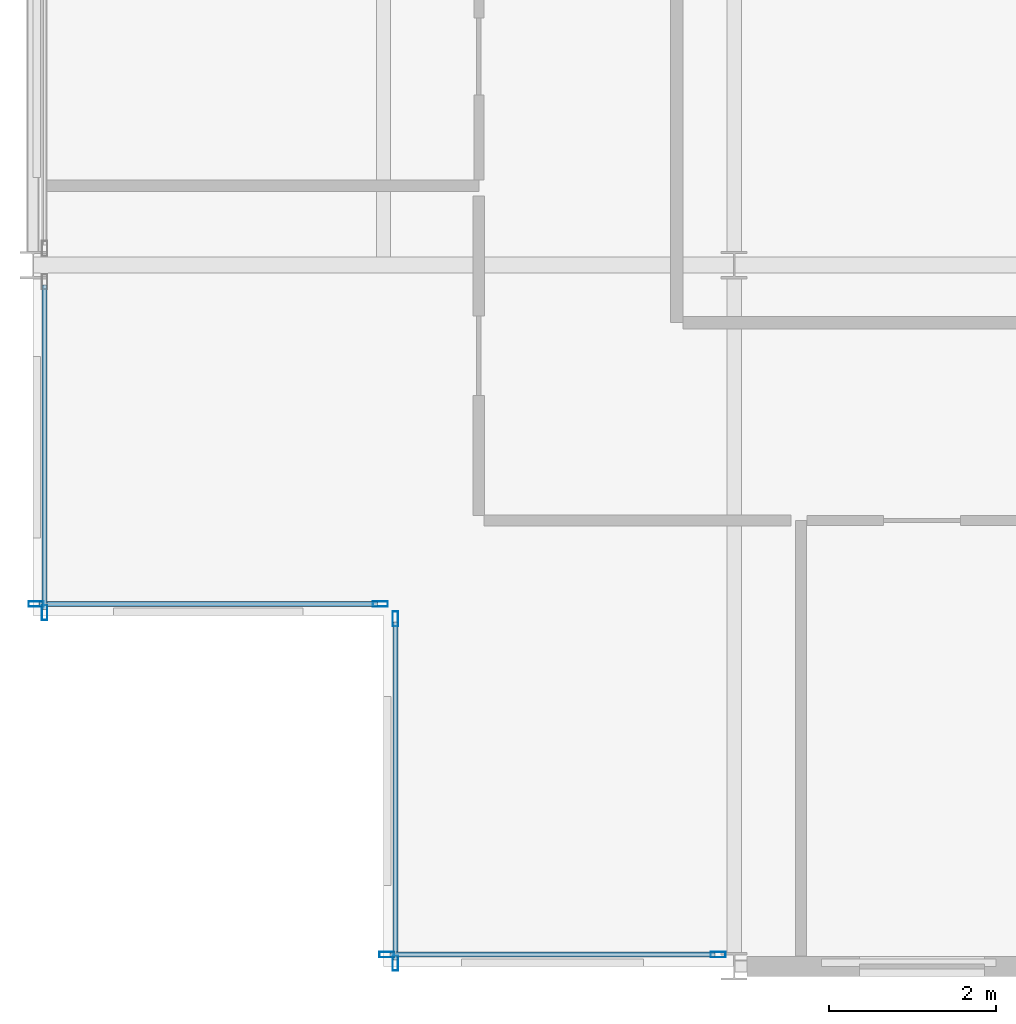
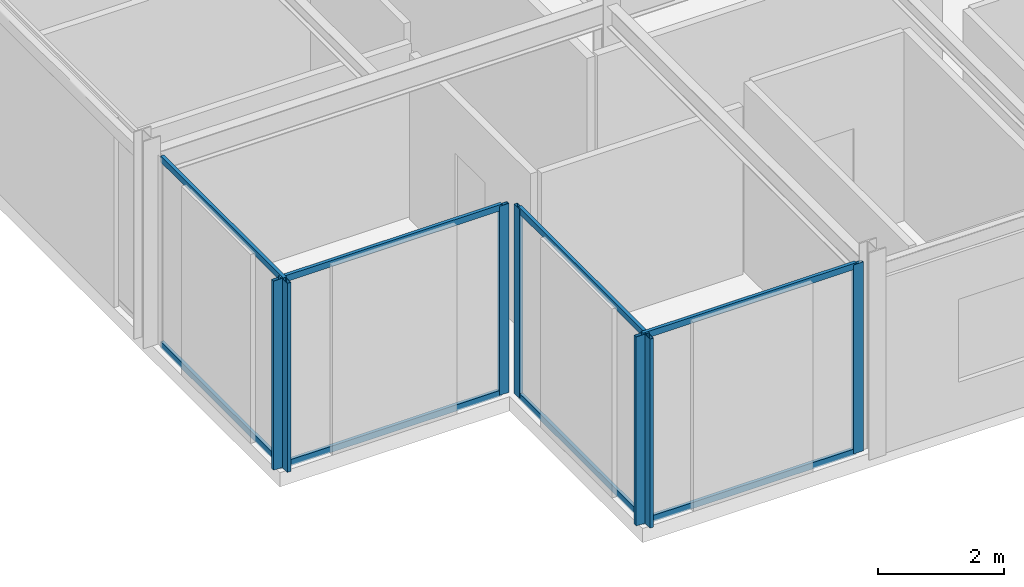
# One storey, part 3 of 26: 15 members, 4 elements without a shape of their own.
"""IFC4 building model written with IfcOpenShell, lengths in metres."""

import ifcopenshell
import ifcopenshell.guid

model = None  # the IFC model being written
_history = None  # IfcOwnerHistory: only IFC2X3 demands one
_inside = {}  # id of a spatial element -> (the spatial element, [elements in it])
_under = {}  # id of a project, library or spatial element -> (it, [spatial elements below it])
_declared = {}  # id of a project -> (the project, [libraries it declares])
_typed = {}  # id of a type object -> (the type object, [elements of that type])
_made_of = {}  # id of a material, layer set ... -> (it, [elements and type objects made of it])


def new_model(schema):
    """Start an empty IFC model of exactly this schema.

    Asked for "IFC4X3", IfcOpenShell would pick the latest addendum, in which some entities
    have other attributes; the version numbers below select the first issue.
    IFC2X3 requires an IfcOwnerHistory on every rooted entity: one is made here for all.
    """
    global model, _history
    if schema == "IFC4X3":
        model = ifcopenshell.file(schema_version=(4, 3, 0, 0))
    else:
        model = ifcopenshell.file(schema=schema)
    _inside.clear()
    _under.clear()
    _declared.clear()
    _typed.clear()
    _made_of.clear()
    _history = None
    if model.schema == "IFC2X3":
        org = make("IfcOrganization", Name="unknown")
        user = make(
            "IfcPersonAndOrganization",
            ThePerson=make("IfcPerson", FamilyName="unknown"),
            TheOrganization=org,
        )
        app = make(
            "IfcApplication",
            ApplicationDeveloper=org,
            Version="unknown",
            ApplicationFullName="unknown",
            ApplicationIdentifier="unknown",
        )
        _history = make(
            "IfcOwnerHistory",
            OwningUser=user,
            OwningApplication=app,
            ChangeAction="ADDED",
            CreationDate=0,
        )
    return model


def make(cls, **values):
    """One entity of the class cls with the attributes given. An attribute that is None is left unset."""
    return model.create_entity(
        cls, **{name: value for name, value in values.items() if value is not None}
    )


def rooted(cls, **values):
    """An entity with a GlobalId (a new one), such as an element, a storey or a relation."""
    return make(cls, GlobalId=ifcopenshell.guid.new(), OwnerHistory=_history, **values)


def si_unit(unit_type, name, prefix=None):
    """IfcSIUnit, for example si_unit("LENGTHUNIT", "METRE", prefix="MILLI")."""
    return make("IfcSIUnit", UnitType=unit_type, Prefix=prefix, Name=name)


def assignment(units):
    """IfcUnitAssignment: the units of a project."""
    return None if units is None else make("IfcUnitAssignment", Units=units)


def point(xyz):
    """IfcCartesianPoint."""
    return None if xyz is None else make("IfcCartesianPoint", Coordinates=xyz)


def direction(xyz):
    """IfcDirection."""
    return None if xyz is None else make("IfcDirection", DirectionRatios=xyz)


def frame(location, z_axis=None, x_axis=None):
    """IfcAxis2Placement3D, a coordinate frame: its origin and axes. An axis left out is left unset."""
    return make(
        "IfcAxis2Placement3D",
        Location=point(location),
        Axis=direction(z_axis),
        RefDirection=direction(x_axis),
    )


def frame_2d(location, x_axis=None):
    """IfcAxis2Placement2D, a coordinate frame in the plane: its origin and x axis."""
    return make(
        "IfcAxis2Placement2D", Location=point(location), RefDirection=direction(x_axis)
    )


def origin():
    """The frame at (0, 0, 0) with its axes left unset."""
    return frame((0.0, 0.0, 0.0))


def origin_2d():
    """The frame at (0, 0) in the plane with its x axis left unset."""
    return frame_2d((0.0, 0.0))


def place(relative_to, where):
    """IfcLocalPlacement: puts the frame where relative to a parent placement (None: the world)."""
    return make(
        "IfcLocalPlacement", PlacementRelTo=relative_to, RelativePlacement=where
    )


def context(
    kind, dimensions, precision=None, world=None, true_north=None, identifier=None
):
    """IfcGeometricRepresentationContext, for example the 3D "Model" context."""
    return make(
        "IfcGeometricRepresentationContext",
        ContextIdentifier=identifier,
        ContextType=kind,
        CoordinateSpaceDimension=dimensions,
        Precision=precision,
        WorldCoordinateSystem=world,
        TrueNorth=true_north,
    )


def subcontext(parent, identifier, kind, view, scale=None):
    """IfcGeometricRepresentationSubContext, for example "Body" below "Model"."""
    return make(
        "IfcGeometricRepresentationSubContext",
        ContextIdentifier=identifier,
        ContextType=kind,
        ParentContext=parent,
        TargetScale=scale,
        TargetView=view,
    )


def project(units=None, contexts=None):
    """IfcProject with its units and contexts."""
    return rooted(
        "IfcProject",
        Name="project",
        RepresentationContexts=contexts,
        UnitsInContext=assignment(units),
    )


def spatial(cls, under=None, at=None, **own):
    """A site, building, storey or space (cls), placed at a placement, below another one or the project."""
    s = rooted(cls, ObjectPlacement=at, **own)
    if under is not None:
        _under.setdefault(under.id(), (under, []))[1].append(s)
    return s


def profile(cls, at=None, kind="AREA", **sizes):
    """A parametric profile (cls). Its sizes go by their IFC names, for example OverallWidth=200.0."""
    return make(cls, ProfileType=kind, Position=at, **sizes)


def hollow_rectangle(**sizes):
    """IfcRectangleHollowProfileDef."""
    return profile("IfcRectangleHollowProfileDef", **sizes)


def extrude(swept, where, along, depth):
    """IfcExtrudedAreaSolid: the profile swept, set in the frame where, extruded along a direction by depth."""
    return make(
        "IfcExtrudedAreaSolid",
        SweptArea=swept,
        Position=where,
        ExtrudedDirection=direction(along),
        Depth=depth,
    )


def shape(context_of_items, identifier, shape_type, items):
    """IfcShapeRepresentation: the items that make up one representation, for example the "Body"."""
    return make(
        "IfcShapeRepresentation",
        ContextOfItems=context_of_items,
        RepresentationIdentifier=identifier,
        RepresentationType=shape_type,
        Items=items,
    )


def material(Name=None, Category=None):
    """IfcMaterial."""
    return make("IfcMaterial", Name=Name, Category=Category)


def layer(
    of_material, thickness, ventilated=None, Name=None, Category=None, Priority=None
):
    """IfcMaterialLayer: one layer of a wall or slab, of a material (None: an air gap)."""
    return make(
        "IfcMaterialLayer",
        Material=of_material,
        LayerThickness=thickness,
        IsVentilated=ventilated,
        Name=Name,
        Category=Category,
        Priority=Priority,
    )


def layer_set(layers, Name=None):
    """IfcMaterialLayerSet."""
    return make("IfcMaterialLayerSet", MaterialLayers=layers, LayerSetName=Name)


def material_profile(
    of_material, cross_section, Name=None, Category=None, Priority=None
):
    """IfcMaterialProfile: a cross section and its material."""
    return make(
        "IfcMaterialProfile",
        Name=Name,
        Material=of_material,
        Profile=cross_section,
        Priority=Priority,
        Category=Category,
    )


def profile_set(profiles, Name=None, composite=None):
    """IfcMaterialProfileSet."""
    return make(
        "IfcMaterialProfileSet",
        Name=Name,
        MaterialProfiles=profiles,
        CompositeProfile=composite,
    )


def made_of(thing, what):
    """Note that an element or type object is made of a material, layer set ...; save() writes the relation."""
    if what is not None:
        _made_of.setdefault(what.id(), (what, []))[1].append(thing)
    return thing


def type_object(cls, material=None, **own):
    """A type object (cls), such as IfcWallType, which elements share."""
    return made_of(rooted(cls, **own), material)


def element(
    cls,
    number,
    at=None,
    inside=None,
    cuts=None,
    type_object=None,
    material=None,
    context=None,
    identifier="Body",
    shape_type=None,
    held_by="IfcProductDefinitionShape",
    body=None,
    shapes=None,
    **own,
):
    """One element of the class cls, such as IfcWall. Its Tag is "e" and its number.

    at: its placement. inside: the storey or other place that contains it. cuts: it is an
    opening in that element (IfcRelVoidsElement). A single representation is given by context,
    identifier, shape_type and body (its items); several are given by shapes. held_by: the class
    of the entity that holds the representations. save() writes the other relations.
    """
    e = rooted(cls, Tag="e%d" % number, ObjectPlacement=at, **own)
    if body is not None:
        shapes = [shape(context, identifier, shape_type, body)]
    if shapes is not None:
        e.Representation = make(held_by, Representations=shapes)
    if inside is not None:
        _inside.setdefault(inside.id(), (inside, []))[1].append(e)
    if cuts is not None:
        rooted(
            "IfcRelVoidsElement", RelatingBuildingElement=cuts, RelatedOpeningElement=e
        )
    if type_object is not None:
        _typed.setdefault(type_object.id(), (type_object, []))[1].append(e)
    return made_of(e, material)


def aggregate(whole, parts):
    """IfcRelAggregates: a whole, such as a stair, and the parts it consists of."""
    return rooted("IfcRelAggregates", RelatingObject=whole, RelatedObjects=parts)


def save(model, path):
    """Write the relations noted so far, then the file.

    IfcRelAggregates (storeys below a building ...), IfcRelContainedInSpatialStructure (elements
    in a storey), IfcRelDefinesByType, IfcRelAssociatesMaterial and IfcRelDeclares: one each for
    every whole, place, type object, material and project.
    """
    for whole, parts in _under.values():
        aggregate(whole, parts)
    for where, things in _inside.values():
        rooted(
            "IfcRelContainedInSpatialStructure",
            RelatedElements=things,
            RelatingStructure=where,
        )
    for kind, things in _typed.values():
        rooted("IfcRelDefinesByType", RelatedObjects=things, RelatingType=kind)
    for what, things in _made_of.values():
        rooted("IfcRelAssociatesMaterial", RelatedObjects=things, RelatingMaterial=what)
    for by, libraries in _declared.values():
        rooted("IfcRelDeclares", RelatingContext=by, RelatedDefinitions=libraries)
    model.write(path)


model = new_model("IFC4")

# Units and contexts
model_context = context("Model", 3, precision=1e-05, world=origin(), true_north=direction((0.0, 1.0)))
body_context = subcontext(model_context, "Body", "Model", "MODEL_VIEW")
ifc_project = project(units=[si_unit("LENGTHUNIT", "METRE"), si_unit("AREAUNIT", "SQUARE_METRE"), si_unit("VOLUMEUNIT", "CUBIC_METRE"), si_unit("PLANEANGLEUNIT", "RADIAN"), si_unit("MASSUNIT", "GRAM", prefix="KILO")], contexts=[model_context])

# Site, building, storey
site_placement = place(None, origin())
site = spatial("IfcSite", under=ifc_project, at=site_placement, CompositionType="ELEMENT")
building_placement = place(site_placement, origin())
building = spatial("IfcBuilding", under=site, at=building_placement, Name="Nerrivon Quay Data Exchange", CompositionType="ELEMENT")
storey_placement = place(building_placement, frame((0.0, 0.0, 282.199951171875)))
storey = spatial("IfcBuildingStorey", under=building, at=storey_placement, Name="L67", CompositionType="ELEMENT", Elevation=282.199951171875)

# Curtain wall, members
ifc_material = material(Name="Anodised aluminium 6063-T6", Category="aluminium")
ifc_layer = layer(ifc_material, 0.195068359375)
ifc_layer_set = layer_set([ifc_layer], Name="Anodised aluminium 6063-T6")
curtain_wall_type = type_object("IfcCurtainWallType", Name="CW-SYS-06", PredefinedType="NOTDEFINED", material=ifc_layer_set)
curtain_wall_1_placement = place(storey_placement, origin())
curtain_wall_1 = element("IfcCurtainWall", 1, at=curtain_wall_1_placement, inside=storey, type_object=curtain_wall_type, Name="L67 Unitised Curtain Wall 8", PredefinedType="NOTDEFINED")
ifc_material_profile_1 = material_profile(ifc_material, hollow_rectangle(XDim=0.06494140625, YDim=0.179931640625, WallThickness=0.00341796875, at=origin_2d()), Name="ALU-MULL-180x65")
ifc_profile_set_1 = profile_set([ifc_material_profile_1], Name="Anodised aluminium 6063-T6")
member_type_1 = type_object("IfcMemberType", Name="CWM-180x65", PredefinedType="MULLION", material=ifc_profile_set_1)
member_1_placement = place(storey_placement, frame((8.20703125, 0.139892578125, 0.0), z_axis=(0.0, 0.0, 1.0), x_axis=(0.0, -1.0, 0.0)))
member_1 = element("IfcMember", 2, at=member_1_placement, type_object=member_type_1, Name="CW06 mullion 1", PredefinedType="MULLION", context=body_context, shape_type="SweptSolid", body=[
    extrude(hollow_rectangle(XDim=0.06494140625, YDim=0.179931640625, WallThickness=0.00341796875, at=origin_2d()), origin(), (0.0, 0.0, 1.0), 3.650146484375),
])
member_2_placement = place(storey_placement, frame((4.237548828125, 0.139892578125, 0.0), z_axis=(0.0, 0.0, 1.0), x_axis=(0.0, -1.0, 0.0)))
member_2 = element("IfcMember", 3, at=member_2_placement, type_object=member_type_1, Name="CW06 mullion 2", PredefinedType="MULLION", context=body_context, shape_type="SweptSolid", body=[
    extrude(hollow_rectangle(XDim=0.06494140625, YDim=0.179931640625, WallThickness=0.00341796875, at=origin_2d()), origin(), (0.0, 0.0, 1.0), 3.650146484375),
])

curtain_wall_2_placement = place(storey_placement, origin())
curtain_wall_2 = element("IfcCurtainWall", 4, at=curtain_wall_2_placement, inside=storey, type_object=curtain_wall_type, Name="L67 Unitised Curtain Wall 9", PredefinedType="NOTDEFINED")
member_3_placement = place(storey_placement, frame((4.340087890625, 0.03759765625, 0.0), z_axis=(0.0, 0.0, 1.0), x_axis=(-1.0, 0.0, 0.0)))
member_3 = element("IfcMember", 5, at=member_3_placement, type_object=member_type_1, Name="CW06 mullion 1", PredefinedType="MULLION", context=body_context, shape_type="SweptSolid", body=[
    extrude(hollow_rectangle(XDim=0.06494140625, YDim=0.179931640625, WallThickness=0.00341796875, at=origin_2d()), origin(), (0.0, 0.0, 1.0), 3.650146484375),
])
member_4_placement = place(storey_placement, frame((4.340087890625, 4.16259765625, 0.0), z_axis=(0.0, 0.0, 1.0), x_axis=(-1.0, 0.0, 0.0)))
member_4 = element("IfcMember", 6, at=member_4_placement, type_object=member_type_1, Name="CW06 mullion 2", PredefinedType="MULLION", context=body_context, shape_type="SweptSolid", body=[
    extrude(hollow_rectangle(XDim=0.06494140625, YDim=0.179931640625, WallThickness=0.00341796875, at=origin_2d()), origin(), (0.0, 0.0, 1.0), 3.650146484375),
])

curtain_wall_3_placement = place(storey_placement, origin())
curtain_wall_3 = element("IfcCurtainWall", 7, at=curtain_wall_3_placement, inside=storey, type_object=curtain_wall_type, Name="L67 Unitised Curtain Wall 10", PredefinedType="NOTDEFINED")
member_5_placement = place(storey_placement, frame((4.16259765625, 4.340087890625, 0.0), z_axis=(0.0, 0.0, 1.0), x_axis=(0.0, -1.0, 0.0)))
member_5 = element("IfcMember", 8, at=member_5_placement, type_object=member_type_1, Name="CW06 mullion 1", PredefinedType="MULLION", context=body_context, shape_type="SweptSolid", body=[
    extrude(hollow_rectangle(XDim=0.06494140625, YDim=0.179931640625, WallThickness=0.00341796875, at=origin_2d()), origin(), (0.0, 0.0, 1.0), 3.650146484375),
])
member_6_placement = place(storey_placement, frame((0.03759765625, 4.340087890625, 0.0), z_axis=(0.0, 0.0, 1.0), x_axis=(0.0, -1.0, 0.0)))
member_6 = element("IfcMember", 9, at=member_6_placement, type_object=member_type_1, Name="CW06 mullion 2", PredefinedType="MULLION", context=body_context, shape_type="SweptSolid", body=[
    extrude(hollow_rectangle(XDim=0.06494140625, YDim=0.179931640625, WallThickness=0.00341796875, at=origin_2d()), origin(), (0.0, 0.0, 1.0), 3.650146484375),
])

# Curtain wall, member
curtain_wall_4_placement = place(storey_placement, origin())
curtain_wall_4 = element("IfcCurtainWall", 10, at=curtain_wall_4_placement, inside=storey, type_object=curtain_wall_type, Name="L67 Unitised Curtain Wall 11", PredefinedType="NOTDEFINED")
member_7_placement = place(storey_placement, frame((0.139892578125, 4.237548828125, 0.0), z_axis=(0.0, 0.0, 1.0), x_axis=(-1.0, 0.0, 0.0)))
member_7 = element("IfcMember", 11, at=member_7_placement, type_object=member_type_1, Name="CW06 mullion 1", PredefinedType="MULLION", context=body_context, shape_type="SweptSolid", body=[
    extrude(hollow_rectangle(XDim=0.06494140625, YDim=0.179931640625, WallThickness=0.00341796875, at=origin_2d()), origin(), (0.0, 0.0, 1.0), 3.650146484375),
])

# Member
ifc_material_profile_2 = material_profile(ifc_material, hollow_rectangle(XDim=0.06005859375, YDim=0.1201171875, WallThickness=0.003173828125, at=origin_2d()), Name="ALU-TRAN-120x60")
ifc_profile_set_2 = profile_set([ifc_material_profile_2], Name="Anodised aluminium 6063-T6")
member_type_2 = type_object("IfcMemberType", Name="CWT-120x60", PredefinedType="USERDEFINED", material=ifc_profile_set_2)
member_8_placement = place(storey_placement, frame((8.16943359375, 0.139892578125, 0.032470703125), z_axis=(-1.0, 0.0, 0.0), x_axis=(0.0, -1.0, 0.0)))
member_8 = element("IfcMember", 12, at=member_8_placement, type_object=member_type_2, Name="CW06 transom 1.1", ObjectType="TRANSOM", PredefinedType="USERDEFINED", context=body_context, shape_type="SweptSolid", body=[
    extrude(hollow_rectangle(XDim=0.06005859375, YDim=0.1201171875, WallThickness=0.003173828125, at=origin_2d()), origin(), (0.0, 0.0, 1.0), 3.89453125),
])

member_9_placement = place(storey_placement, frame((8.16943359375, 0.139892578125, 3.617431640625), z_axis=(-1.0, 0.0, 0.0), x_axis=(0.0, -1.0, 0.0)))
member_9 = element("IfcMember", 13, at=member_9_placement, type_object=member_type_2, Name="CW06 transom 1.2", ObjectType="TRANSOM", PredefinedType="USERDEFINED", context=body_context, shape_type="SweptSolid", body=[
    extrude(hollow_rectangle(XDim=0.06005859375, YDim=0.1201171875, WallThickness=0.003173828125, at=origin_2d()), origin(), (0.0, 0.0, 1.0), 3.89453125),
])

aggregate(curtain_wall_1, [member_1, member_2, member_8, member_9])

member_10_placement = place(storey_placement, frame((4.340087890625, 0.074951171875, 0.032470703125), z_axis=(0.0, 1.0, 0.0), x_axis=(-1.0, 0.0, 0.0)))
member_10 = element("IfcMember", 14, at=member_10_placement, type_object=member_type_2, Name="CW06 transom 1.1", ObjectType="TRANSOM", PredefinedType="USERDEFINED", context=body_context, shape_type="SweptSolid", body=[
    extrude(hollow_rectangle(XDim=0.06005859375, YDim=0.1201171875, WallThickness=0.003173828125, at=origin_2d()), origin(), (0.0, 0.0, 1.0), 4.050048828125),
])

member_11_placement = place(storey_placement, frame((4.340087890625, 0.074951171875, 3.617431640625), z_axis=(0.0, 1.0, 0.0), x_axis=(-1.0, 0.0, 0.0)))
member_11 = element("IfcMember", 15, at=member_11_placement, type_object=member_type_2, Name="CW06 transom 1.2", ObjectType="TRANSOM", PredefinedType="USERDEFINED", context=body_context, shape_type="SweptSolid", body=[
    extrude(hollow_rectangle(XDim=0.06005859375, YDim=0.1201171875, WallThickness=0.003173828125, at=origin_2d()), origin(), (0.0, 0.0, 1.0), 4.050048828125),
])

aggregate(curtain_wall_2, [member_3, member_4, member_10, member_11])

member_12_placement = place(storey_placement, frame((4.125, 4.340087890625, 0.032470703125), z_axis=(-1.0, 0.0, 0.0), x_axis=(0.0, -1.0, 0.0)))
member_12 = element("IfcMember", 16, at=member_12_placement, type_object=member_type_2, Name="CW06 transom 1.1", ObjectType="TRANSOM", PredefinedType="USERDEFINED", context=body_context, shape_type="SweptSolid", body=[
    extrude(hollow_rectangle(XDim=0.06005859375, YDim=0.1201171875, WallThickness=0.003173828125, at=origin_2d()), origin(), (0.0, 0.0, 1.0), 4.050048828125),
])

member_13_placement = place(storey_placement, frame((4.125, 4.340087890625, 3.617431640625), z_axis=(-1.0, 0.0, 0.0), x_axis=(0.0, -1.0, 0.0)))
member_13 = element("IfcMember", 17, at=member_13_placement, type_object=member_type_2, Name="CW06 transom 1.2", ObjectType="TRANSOM", PredefinedType="USERDEFINED", context=body_context, shape_type="SweptSolid", body=[
    extrude(hollow_rectangle(XDim=0.06005859375, YDim=0.1201171875, WallThickness=0.003173828125, at=origin_2d()), origin(), (0.0, 0.0, 1.0), 4.050048828125),
])

aggregate(curtain_wall_3, [member_5, member_6, member_12, member_13])

member_14_placement = place(storey_placement, frame((0.139892578125, 4.27490234375, 0.032470703125), z_axis=(0.0, 1.0, 0.0), x_axis=(-1.0, 0.0, 0.0)))
member_14 = element("IfcMember", 18, at=member_14_placement, type_object=member_type_2, Name="CW06 transom 1.1", ObjectType="TRANSOM", PredefinedType="USERDEFINED", context=body_context, shape_type="SweptSolid", body=[
    extrude(hollow_rectangle(XDim=0.06005859375, YDim=0.1201171875, WallThickness=0.003173828125, at=origin_2d()), origin(), (0.0, 0.0, 1.0), 3.88671875),
])

member_15_placement = place(storey_placement, frame((0.139892578125, 4.27490234375, 3.617431640625), z_axis=(0.0, 1.0, 0.0), x_axis=(-1.0, 0.0, 0.0)))
member_15 = element("IfcMember", 19, at=member_15_placement, type_object=member_type_2, Name="CW06 transom 1.2", ObjectType="TRANSOM", PredefinedType="USERDEFINED", context=body_context, shape_type="SweptSolid", body=[
    extrude(hollow_rectangle(XDim=0.06005859375, YDim=0.1201171875, WallThickness=0.003173828125, at=origin_2d()), origin(), (0.0, 0.0, 1.0), 3.88671875),
])

aggregate(curtain_wall_4, [member_7, member_14, member_15])

save(model, "model.ifc")
